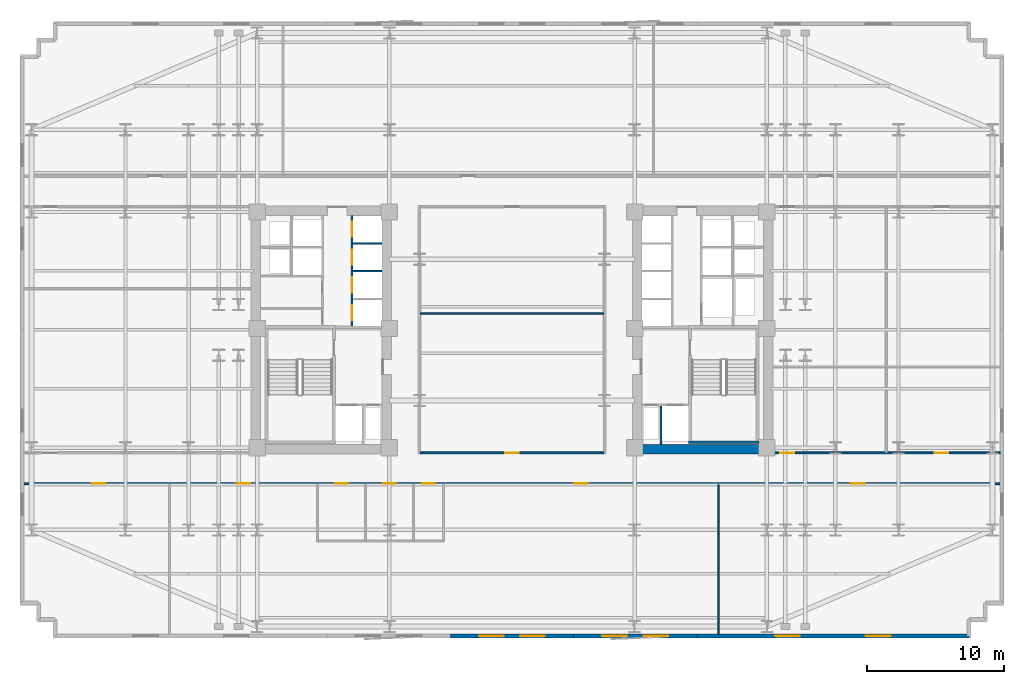
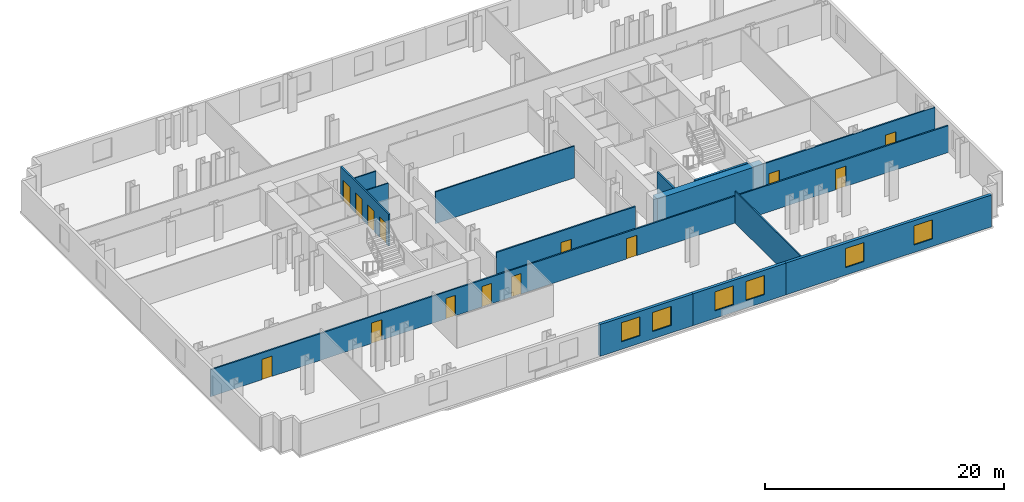
# One storey, part 5 of 10: 14 doors, 14 walls, 6 windows, 20 openings.
"""IFC4 building model written with IfcOpenShell, lengths in metres."""

from ifc_helpers import new_model, si_unit, direction, frame, frame_2d, origin, place, context, subcontext, project, spatial, rectangle, extrude, material, layer, layer_set, type_object, element, fill, save


model = new_model("IFC4")

# Units and contexts
model_context = context("Model", 3, precision=1e-05, world=origin(), true_north=direction((0.0, 1.0)))
body_context = subcontext(model_context, "Body", "Model", "MODEL_VIEW")
ifc_project = project(units=[si_unit("LENGTHUNIT", "METRE"), si_unit("AREAUNIT", "SQUARE_METRE"), si_unit("VOLUMEUNIT", "CUBIC_METRE"), si_unit("PLANEANGLEUNIT", "RADIAN"), si_unit("MASSUNIT", "GRAM", prefix="KILO")], contexts=[model_context])

# Site, building, storey
site_placement = place(None, origin())
site = spatial("IfcSite", under=ifc_project, at=site_placement, CompositionType="ELEMENT")
building_placement = place(site_placement, origin())
building = spatial("IfcBuilding", under=site, at=building_placement, Name="Velakula Bourse", CompositionType="ELEMENT")
storey_placement = place(building_placement, frame((0.0, 0.0, 34.64990234375)))
storey = spatial("IfcBuildingStorey", under=building, at=storey_placement, Name="L08", CompositionType="ELEMENT", Elevation=34.64990234375)

# Walls
ifc_material_1 = material(Name="Concrete M50 (fck 50 MPa)", Category="concrete")
ifc_layer_1 = layer(ifc_material_1, 0.2099609375, Name="Concrete M50 (fck 50 MPa)", Category="concrete")
ifc_layer_set_1 = layer_set([ifc_layer_1], Name="Concrete M50 (fck 50 MPa)")
wall_type_1 = type_object("IfcWallType", Name="WL-CORE-210", PredefinedType="SHEAR", material=ifc_layer_set_1)
wall_1_placement = place(storey_placement, frame((12.889892578125, -8.205078125, 0.0), z_axis=(0.0, 0.0, 1.0), x_axis=(1.0, 0.0, 0.0)))
element("IfcWall", 1, at=wall_1_placement, inside=storey, type_object=wall_type_1, Name="L08 Core E Stairwell Shear Wall S", PredefinedType="SHEAR", context=body_context, shape_type="SweptSolid", body=[
    extrude(rectangle(XDim=5.14013671875, YDim=0.2099609375, at=frame_2d((2.570068359375, 0.0))), origin(), (0.0, 0.0, 1.0), 3.27001953125),
])
ifc_material_2 = material(Name="Concrete M70 (fck 70 MPa)", Category="concrete")
ifc_layer_2 = layer(ifc_material_2, 0.699951171875, Name="Concrete M70 (fck 70 MPa)", Category="concrete")
ifc_layer_set_2 = layer_set([ifc_layer_2], Name="Concrete M70 (fck 70 MPa)")
wall_type_2 = type_object("IfcWallType", Name="WL-CORE-700", PredefinedType="SHEAR", material=ifc_layer_set_2)
wall_2_placement = place(storey_placement, frame((8.800048828125, -8.699951171875, 0.0), z_axis=(0.0, 0.0, 1.0), x_axis=(1.0, 0.0, 0.0)))
element("IfcWall", 2, at=wall_2_placement, inside=storey, type_object=wall_type_2, Name="L08 Core E Shear Wall S", PredefinedType="SHEAR", context=body_context, shape_type="SweptSolid", body=[
    extrude(rectangle(XDim=10.25, YDim=0.699951171875, at=frame_2d((5.125, 0.0))), origin(), (0.0, 0.0, 1.0), 3.27001953125),
])

# Wall, openings, windows
ifc_material_3 = material(Name="Red kilned clay facing brick masonry", Category="masonry")
ifc_layer_3 = layer(ifc_material_3, 0.280029296875, Name="Red kilned clay facing brick masonry", Category="masonry")
ifc_layer_set_3 = layer_set([ifc_layer_3], Name="Red kilned clay facing brick masonry")
wall_type_3 = type_object("IfcWallType", Name="WL-EXT-BRK-280", PredefinedType="STANDARD", material=ifc_layer_set_3)
wall_3_placement = place(storey_placement, frame((4.5, -22.340087890625, 0.0), z_axis=(0.0, 0.0, 1.0), x_axis=(-1.0, 0.0, 0.0)))
wall_3 = element("IfcWall", 3, at=wall_3_placement, inside=storey, type_object=wall_type_3, Name="L08 S Brick Spandrel Wall B3", PredefinedType="STANDARD", context=body_context, shape_type="SweptSolid", body=[
    extrude(rectangle(XDim=9.0, YDim=0.280029296875, at=frame_2d((4.5, 0.0))), origin(), (0.0, 0.0, 1.0), 3.25),
])
opening_1_placement = place(wall_3_placement, frame((2.10009765625, 0.0, 0.760009765625)))
opening_1 = element("IfcOpeningElement", 4, at=opening_1_placement, cuts=wall_3, Name="Opening W-01", PredefinedType="OPENING", context=body_context, shape_type="SweptSolid", body=[
    extrude(rectangle(XDim=1.800048828125, YDim=1.949951171875, at=frame_2d((0.89990234375, 0.97509765625))), frame((0.0, 0.14990234375, 0.0), z_axis=(0.0, -1.0, 0.0), x_axis=(1.0, 0.0, 0.0)), (0.0, 0.0, 1.0), 0.300048828125),
])
opening_2_placement = place(wall_3_placement, frame((5.10009765625, 0.0, 0.760009765625)))
opening_2 = element("IfcOpeningElement", 5, at=opening_2_placement, cuts=wall_3, Name="Opening W-01", PredefinedType="OPENING", context=body_context, shape_type="SweptSolid", body=[
    extrude(rectangle(XDim=1.800048828125, YDim=1.949951171875, at=frame_2d((0.89990234375, 0.97509765625))), frame((0.0, 0.14990234375, 0.0), z_axis=(0.0, -1.0, 0.0), x_axis=(1.0, 0.0, 0.0)), (0.0, 0.0, 1.0), 0.300048828125),
])
ifc_material_4 = material(Name="Double-glazed solar-control Low-E glass", Category="glass")
window_type = type_object("IfcWindowType", Name="WIN-TWR-1800x2100", PartitioningType="SINGLE_PANEL", PredefinedType="WINDOW", material=ifc_material_4)
window_1_placement = place(opening_1_placement, origin())
window_1 = element("IfcWindow", 6, at=window_1_placement, inside=storey, type_object=window_type, Name="L08 Deep-Set Recessed Window 1", OverallHeight=1.949951171875, OverallWidth=1.800048828125, PartitioningType="SINGLE_PANEL", PredefinedType="WINDOW", context=body_context, shape_type="SweptSolid", body=[
    extrude(rectangle(XDim=1.800048828125, YDim=1.949951171875, at=frame_2d((0.89990234375, 0.97509765625))), frame((0.0, 0.030029296875, 0.0), z_axis=(0.0, -1.0, 0.0), x_axis=(1.0, 0.0, 0.0)), (0.0, 0.0, 1.0), 0.06005859375),
])
fill(opening_1, window_1)
window_2_placement = place(opening_2_placement, origin())
window_2 = element("IfcWindow", 7, at=window_2_placement, inside=storey, type_object=window_type, Name="L08 Deep-Set Recessed Window 2", OverallHeight=1.949951171875, OverallWidth=1.800048828125, PartitioningType="SINGLE_PANEL", PredefinedType="WINDOW", context=body_context, shape_type="SweptSolid", body=[
    extrude(rectangle(XDim=1.800048828125, YDim=1.949951171875, at=frame_2d((0.89990234375, 0.97509765625))), frame((0.0, 0.030029296875, 0.0), z_axis=(0.0, -1.0, 0.0), x_axis=(1.0, 0.0, 0.0)), (0.0, 0.0, 1.0), 0.06005859375),
])
fill(opening_2, window_2)

wall_4_placement = place(storey_placement, frame((13.5, -22.340087890625, 0.0), z_axis=(0.0, 0.0, 1.0), x_axis=(-1.0, 0.0, 0.0)))
wall_4 = element("IfcWall", 8, at=wall_4_placement, inside=storey, type_object=wall_type_3, Name="L08 S Brick Spandrel Wall B4", PredefinedType="STANDARD", context=body_context, shape_type="SweptSolid", body=[
    extrude(rectangle(XDim=9.0, YDim=0.280029296875, at=frame_2d((4.5, 0.0))), origin(), (0.0, 0.0, 1.0), 3.25),
])
opening_3_placement = place(wall_4_placement, frame((2.10009765625, 0.0, 0.760009765625)))
opening_3 = element("IfcOpeningElement", 9, at=opening_3_placement, cuts=wall_4, Name="Opening W-01", PredefinedType="OPENING", context=body_context, shape_type="SweptSolid", body=[
    extrude(rectangle(XDim=1.800048828125, YDim=1.949951171875, at=frame_2d((0.89990234375, 0.97509765625))), frame((0.0, 0.14990234375, 0.0), z_axis=(0.0, -1.0, 0.0), x_axis=(1.0, 0.0, 0.0)), (0.0, 0.0, 1.0), 0.300048828125),
])
opening_4_placement = place(wall_4_placement, frame((5.10009765625, 0.0, 0.760009765625)))
opening_4 = element("IfcOpeningElement", 10, at=opening_4_placement, cuts=wall_4, Name="Opening W-01", PredefinedType="OPENING", context=body_context, shape_type="SweptSolid", body=[
    extrude(rectangle(XDim=1.800048828125, YDim=1.949951171875, at=frame_2d((0.89990234375, 0.97509765625))), frame((0.0, 0.14990234375, 0.0), z_axis=(0.0, -1.0, 0.0), x_axis=(1.0, 0.0, 0.0)), (0.0, 0.0, 1.0), 0.300048828125),
])
window_3_placement = place(opening_3_placement, origin())
window_3 = element("IfcWindow", 11, at=window_3_placement, inside=storey, type_object=window_type, Name="L08 Deep-Set Recessed Window 1", OverallHeight=1.949951171875, OverallWidth=1.800048828125, PartitioningType="SINGLE_PANEL", PredefinedType="WINDOW", context=body_context, shape_type="SweptSolid", body=[
    extrude(rectangle(XDim=1.800048828125, YDim=1.949951171875, at=frame_2d((0.89990234375, 0.97509765625))), frame((0.0, 0.030029296875, 0.0), z_axis=(0.0, -1.0, 0.0), x_axis=(1.0, 0.0, 0.0)), (0.0, 0.0, 1.0), 0.06005859375),
])
fill(opening_3, window_3)
window_4_placement = place(opening_4_placement, origin())
window_4 = element("IfcWindow", 12, at=window_4_placement, inside=storey, type_object=window_type, Name="L08 Deep-Set Recessed Window 2", OverallHeight=1.949951171875, OverallWidth=1.800048828125, PartitioningType="SINGLE_PANEL", PredefinedType="WINDOW", context=body_context, shape_type="SweptSolid", body=[
    extrude(rectangle(XDim=1.800048828125, YDim=1.949951171875, at=frame_2d((0.89990234375, 0.97509765625))), frame((0.0, 0.030029296875, 0.0), z_axis=(0.0, -1.0, 0.0), x_axis=(1.0, 0.0, 0.0)), (0.0, 0.0, 1.0), 0.06005859375),
])
fill(opening_4, window_4)

wall_5_placement = place(storey_placement, frame((33.340087890625, -22.340087890625, 0.0), z_axis=(0.0, 0.0, 1.0), x_axis=(-1.0, 0.0, 0.0)))
wall_5 = element("IfcWall", 13, at=wall_5_placement, inside=storey, type_object=wall_type_3, Name="L08 S Brick Spandrel Wall B5", PredefinedType="STANDARD", context=body_context, shape_type="SweptSolid", body=[
    extrude(rectangle(XDim=19.840087890625, YDim=0.280029296875, at=frame_2d((9.919921875, 0.0))), origin(), (0.0, 0.0, 1.0), 3.25),
])
opening_5_placement = place(wall_5_placement, frame((5.71337890625, 0.0, 0.760009765625)))
opening_5 = element("IfcOpeningElement", 14, at=opening_5_placement, cuts=wall_5, Name="Opening W-01", PredefinedType="OPENING", context=body_context, shape_type="SweptSolid", body=[
    extrude(rectangle(XDim=1.800048828125, YDim=1.949951171875, at=frame_2d((0.89990234375, 0.97509765625))), frame((0.0, 0.14990234375, 0.0), z_axis=(0.0, -1.0, 0.0), x_axis=(1.0, 0.0, 0.0)), (0.0, 0.0, 1.0), 0.300048828125),
])
opening_6_placement = place(wall_5_placement, frame((12.32666015625, 0.0, 0.760009765625)))
opening_6 = element("IfcOpeningElement", 15, at=opening_6_placement, cuts=wall_5, Name="Opening W-01", PredefinedType="OPENING", context=body_context, shape_type="SweptSolid", body=[
    extrude(rectangle(XDim=1.800048828125, YDim=1.949951171875, at=frame_2d((0.89990234375, 0.97509765625))), frame((0.0, 0.14990234375, 0.0), z_axis=(0.0, -1.0, 0.0), x_axis=(1.0, 0.0, 0.0)), (0.0, 0.0, 1.0), 0.300048828125),
])
window_5_placement = place(opening_5_placement, origin())
window_5 = element("IfcWindow", 16, at=window_5_placement, inside=storey, type_object=window_type, Name="L08 Deep-Set Recessed Window 1", OverallHeight=1.949951171875, OverallWidth=1.800048828125, PartitioningType="SINGLE_PANEL", PredefinedType="WINDOW", context=body_context, shape_type="SweptSolid", body=[
    extrude(rectangle(XDim=1.800048828125, YDim=1.949951171875, at=frame_2d((0.89990234375, 0.97509765625))), frame((0.0, 0.030029296875, 0.0), z_axis=(0.0, -1.0, 0.0), x_axis=(1.0, 0.0, 0.0)), (0.0, 0.0, 1.0), 0.06005859375),
])
fill(opening_5, window_5)
window_6_placement = place(opening_6_placement, origin())
window_6 = element("IfcWindow", 17, at=window_6_placement, inside=storey, type_object=window_type, Name="L08 Deep-Set Recessed Window 2", OverallHeight=1.949951171875, OverallWidth=1.800048828125, PartitioningType="SINGLE_PANEL", PredefinedType="WINDOW", context=body_context, shape_type="SweptSolid", body=[
    extrude(rectangle(XDim=1.800048828125, YDim=1.949951171875, at=frame_2d((0.89990234375, 0.97509765625))), frame((0.0, 0.030029296875, 0.0), z_axis=(0.0, -1.0, 0.0), x_axis=(1.0, 0.0, 0.0)), (0.0, 0.0, 1.0), 0.06005859375),
])
fill(opening_6, window_6)

# Walls
ifc_material_5 = material(Name="Fire-rated double-layer gypsum drywall partition", Category="gypsum")
ifc_layer_4 = layer(ifc_material_5, 0.1201171875, Name="Fire-rated double-layer gypsum drywall partition", Category="gypsum")
ifc_layer_set_4 = layer_set([ifc_layer_4], Name="Fire-rated double-layer gypsum drywall partition")
wall_type_4 = type_object("IfcWallType", Name="WL-PART-120", PredefinedType="STANDARD", material=ifc_layer_set_4)
for number, where, z_axis, x_axis, name in (
    (18, (-11.60009765625, 4.284912109375, 0.0), (0.0, 0.0, 1.0), (1.0, 0.0, 0.0), "L08 Interior Partition WL-CRW-L08-BDIV-1"),
    (19, (-11.60009765625, 6.31494140625, 0.0), (0.0, 0.0, 1.0), (1.0, 0.0, 0.0), "L08 Interior Partition WL-CRW-L08-BDIV-2"),
):
    element("IfcWall", number, at=place(storey_placement, frame(where, z_axis=z_axis, x_axis=x_axis)), inside=storey, type_object=wall_type_4, Name=name, PredefinedType="STANDARD", context=body_context, shape_type="SweptSolid", body=[
        extrude(rectangle(XDim=2.10009765625, YDim=0.110107421875, at=frame_2d((1.050048828125, 0.0))), origin(), (0.0, 0.0, 1.0), 3.25),
    ])
wall_6_placement = place(storey_placement, frame((15.076904296875, -22.219970703125, 0.0), z_axis=(0.0, 0.0, 1.0), x_axis=(0.0, 1.0, 0.0)))
element("IfcWall", 20, at=wall_6_placement, inside=storey, type_object=wall_type_4, Name="L08 Interior Partition WL-INT-L08-SR-D6", PredefinedType="STANDARD", context=body_context, shape_type="SweptSolid", body=[
    extrude(rectangle(XDim=10.929931640625, YDim=0.1201171875, at=frame_2d((5.46484375, 0.0))), origin(), (0.0, 0.0, 1.0), 3.25),
])

# Wall, openings, doors
ifc_layer_5 = layer(ifc_material_5, 0.139892578125, Name="Fire-rated double-layer gypsum drywall partition", Category="gypsum")
ifc_layer_set_5 = layer_set([ifc_layer_5], Name="Fire-rated double-layer gypsum drywall partition")
wall_type_5 = type_object("IfcWallType", Name="WL-PART-140", PredefinedType="STANDARD", material=ifc_layer_set_5)
wall_7_placement = place(storey_placement, frame((-35.6201171875, -11.219970703125, 0.0), z_axis=(0.0, 0.0, 1.0), x_axis=(1.0, 0.0, 0.0)))
wall_7 = element("IfcWall", 21, at=wall_7_placement, inside=storey, type_object=wall_type_5, Name="L08 Interior Partition WL-INT-L08-S-CORR", PredefinedType="STANDARD", context=body_context, shape_type="SweptSolid", body=[
    extrude(rectangle(XDim=71.240234375, YDim=0.139892578125, at=frame_2d((35.6201171875, 0.0))), origin(), (0.0, 0.0, 1.0), 2.7451171875),
])
opening_7_placement = place(wall_7_placement, frame((22.7099609375, 0.0, 0.0)))
opening_7 = element("IfcOpeningElement", 22, at=opening_7_placement, cuts=wall_7, Name="Opening D-WT1", PredefinedType="OPENING", context=body_context, shape_type="SweptSolid", body=[
    extrude(rectangle(XDim=0.919921875, YDim=2.080078125, at=frame_2d((0.4599609375, 1.0400390625))), frame((0.0, 0.079833984375, 0.0), z_axis=(0.0, -1.0, 0.0), x_axis=(1.0, 0.0, 0.0)), (0.0, 0.0, 1.0), 0.159912109375),
])
opening_8_placement = place(wall_7_placement, frame((26.2099609375, 0.0, 0.0)))
opening_8 = element("IfcOpeningElement", 23, at=opening_8_placement, cuts=wall_7, Name="Opening D-WT1", PredefinedType="OPENING", context=body_context, shape_type="SweptSolid", body=[
    extrude(rectangle(XDim=0.919921875, YDim=2.080078125, at=frame_2d((0.4599609375, 1.0400390625))), frame((0.0, 0.079833984375, 0.0), z_axis=(0.0, -1.0, 0.0), x_axis=(1.0, 0.0, 0.0)), (0.0, 0.0, 1.0), 0.159912109375),
])
opening_9_placement = place(wall_7_placement, frame((29.06005859375, 0.0, 0.0)))
opening_9 = element("IfcOpeningElement", 24, at=opening_9_placement, cuts=wall_7, Name="Opening D-WC1", PredefinedType="OPENING", context=body_context, shape_type="SweptSolid", body=[
    extrude(rectangle(XDim=0.919921875, YDim=2.080078125, at=frame_2d((0.4599609375, 1.0400390625))), frame((0.0, 0.079833984375, 0.0), z_axis=(0.0, -1.0, 0.0), x_axis=(1.0, 0.0, 0.0)), (0.0, 0.0, 1.0), 0.159912109375),
])
opening_10_placement = place(wall_7_placement, frame((4.9423828125, 0.0, 0.0)))
opening_10 = element("IfcOpeningElement", 25, at=opening_10_placement, cuts=wall_7, Name="Opening D-OF1", PredefinedType="OPENING", context=body_context, shape_type="SweptSolid", body=[
    extrude(rectangle(XDim=1.0, YDim=2.080078125, at=frame_2d((0.5, 1.0400390625))), frame((0.0, 0.079833984375, 0.0), z_axis=(0.0, -1.0, 0.0), x_axis=(1.0, 0.0, 0.0)), (0.0, 0.0, 1.0), 0.159912109375),
])
opening_11_placement = place(wall_7_placement, frame((15.526611328125, 0.0, 0.0)))
opening_11 = element("IfcOpeningElement", 26, at=opening_11_placement, cuts=wall_7, Name="Opening D-OF1", PredefinedType="OPENING", context=body_context, shape_type="SweptSolid", body=[
    extrude(rectangle(XDim=1.0, YDim=2.080078125, at=frame_2d((0.5, 1.0400390625))), frame((0.0, 0.079833984375, 0.0), z_axis=(0.0, -1.0, 0.0), x_axis=(1.0, 0.0, 0.0)), (0.0, 0.0, 1.0), 0.159912109375),
])
opening_12_placement = place(wall_7_placement, frame((40.158447265625, 0.0, 0.0)))
opening_12 = element("IfcOpeningElement", 27, at=opening_12_placement, cuts=wall_7, Name="Opening D-OF1", PredefinedType="OPENING", context=body_context, shape_type="SweptSolid", body=[
    extrude(rectangle(XDim=1.0, YDim=2.080078125, at=frame_2d((0.5, 1.0400390625))), frame((0.0, 0.079833984375, 0.0), z_axis=(0.0, -1.0, 0.0), x_axis=(1.0, 0.0, 0.0)), (0.0, 0.0, 1.0), 0.159912109375),
])
opening_13_placement = place(wall_7_placement, frame((60.342529296875, 0.0, 0.0)))
opening_13 = element("IfcOpeningElement", 28, at=opening_13_placement, cuts=wall_7, Name="Opening D-OF1", PredefinedType="OPENING", context=body_context, shape_type="SweptSolid", body=[
    extrude(rectangle(XDim=1.0, YDim=2.080078125, at=frame_2d((0.5, 1.0400390625))), frame((0.0, 0.079833984375, 0.0), z_axis=(0.0, -1.0, 0.0), x_axis=(1.0, 0.0, 0.0)), (0.0, 0.0, 1.0), 0.159912109375),
])
ifc_material_6 = material(Name="Fire-rated hardwood flush architectural door", Category="wood")
door_type_1 = type_object("IfcDoorType", Name="DR-OFF-1000", OperationType="NOTDEFINED", PredefinedType="DOOR", material=ifc_material_6)
door_1_placement = place(opening_10_placement, origin())
door_1 = element("IfcDoor", 29, at=door_1_placement, inside=storey, type_object=door_type_1, Name="L08 Quiet Financial Library Door", OperationType="SINGLE_SWING_LEFT", OverallHeight=2.080078125, OverallWidth=1.0, PredefinedType="DOOR", context=body_context, shape_type="SweptSolid", body=[
    extrude(rectangle(XDim=1.0, YDim=2.080078125, at=frame_2d((0.5, 1.0400390625))), frame((0.0, 0.02490234375, 0.0), z_axis=(0.0, -1.0, 0.0), x_axis=(1.0, 0.0, 0.0)), (0.0, 0.0, 1.0), 0.050048828125),
])
fill(opening_10, door_1)
door_2_placement = place(opening_11_placement, origin())
door_2 = element("IfcDoor", 30, at=door_2_placement, inside=storey, type_object=door_type_1, Name="L08 Margin Control Office Door", OperationType="SINGLE_SWING_RIGHT", OverallHeight=2.080078125, OverallWidth=1.0, PredefinedType="DOOR", context=body_context, shape_type="SweptSolid", body=[
    extrude(rectangle(XDim=1.0, YDim=2.080078125, at=frame_2d((0.5, 1.0400390625))), frame((0.0, 0.02490234375, 0.0), z_axis=(0.0, -1.0, 0.0), x_axis=(1.0, 0.0, 0.0)), (0.0, 0.0, 1.0), 0.050048828125),
])
fill(opening_11, door_2)
door_3_placement = place(opening_12_placement, origin())
door_3 = element("IfcDoor", 31, at=door_3_placement, inside=storey, type_object=door_type_1, Name="L08 Risk Review Boardroom Door", OperationType="SINGLE_SWING_LEFT", OverallHeight=2.080078125, OverallWidth=1.0, PredefinedType="DOOR", context=body_context, shape_type="SweptSolid", body=[
    extrude(rectangle(XDim=1.0, YDim=2.080078125, at=frame_2d((0.5, 1.0400390625))), frame((0.0, 0.02490234375, 0.0), z_axis=(0.0, -1.0, 0.0), x_axis=(1.0, 0.0, 0.0)), (0.0, 0.0, 1.0), 0.050048828125),
])
fill(opening_12, door_3)
door_4_placement = place(opening_13_placement, origin())
door_4 = element("IfcDoor", 32, at=door_4_placement, inside=storey, type_object=door_type_1, Name="L08 Catering Servery Pantry Door", OperationType="SINGLE_SWING_RIGHT", OverallHeight=2.080078125, OverallWidth=1.0, PredefinedType="DOOR", context=body_context, shape_type="SweptSolid", body=[
    extrude(rectangle(XDim=1.0, YDim=2.080078125, at=frame_2d((0.5, 1.0400390625))), frame((0.0, 0.02490234375, 0.0), z_axis=(0.0, -1.0, 0.0), x_axis=(1.0, 0.0, 0.0)), (0.0, 0.0, 1.0), 0.050048828125),
])
fill(opening_13, door_4)
door_type_2 = type_object("IfcDoorType", Name="DR-WC-950", OperationType="NOTDEFINED", PredefinedType="DOOR", material=ifc_material_6)
door_5_placement = place(opening_7_placement, origin())
door_5 = element("IfcDoor", 33, at=door_5_placement, inside=storey, type_object=door_type_2, Name="L08 Male Staff Toilet Door", OperationType="SINGLE_SWING_RIGHT", OverallHeight=2.080078125, OverallWidth=0.919921875, PredefinedType="DOOR", context=body_context, shape_type="SweptSolid", body=[
    extrude(rectangle(XDim=0.919921875, YDim=2.080078125, at=frame_2d((0.4599609375, 1.0400390625))), frame((0.0, 0.02490234375, 0.0), z_axis=(0.0, -1.0, 0.0), x_axis=(1.0, 0.0, 0.0)), (0.0, 0.0, 1.0), 0.050048828125),
])
fill(opening_7, door_5)
door_6_placement = place(opening_8_placement, origin())
door_6 = element("IfcDoor", 34, at=door_6_placement, inside=storey, type_object=door_type_2, Name="L08 Female Staff Toilet Door", OperationType="SINGLE_SWING_LEFT", OverallHeight=2.080078125, OverallWidth=0.919921875, PredefinedType="DOOR", context=body_context, shape_type="SweptSolid", body=[
    extrude(rectangle(XDim=0.919921875, YDim=2.080078125, at=frame_2d((0.4599609375, 1.0400390625))), frame((0.0, 0.02490234375, 0.0), z_axis=(0.0, -1.0, 0.0), x_axis=(1.0, 0.0, 0.0)), (0.0, 0.0, 1.0), 0.050048828125),
])
fill(opening_8, door_6)
door_7_placement = place(opening_9_placement, origin())
door_7 = element("IfcDoor", 35, at=door_7_placement, inside=storey, type_object=door_type_2, Name="L08 Accessible WC Door", OperationType="SINGLE_SWING_RIGHT", OverallHeight=2.080078125, OverallWidth=0.919921875, PredefinedType="DOOR", context=body_context, shape_type="SweptSolid", body=[
    extrude(rectangle(XDim=0.919921875, YDim=2.080078125, at=frame_2d((0.4599609375, 1.0400390625))), frame((0.0, 0.02490234375, 0.0), z_axis=(0.0, -1.0, 0.0), x_axis=(1.0, 0.0, 0.0)), (0.0, 0.0, 1.0), 0.050048828125),
])
fill(opening_9, door_7)

wall_8_placement = place(storey_placement, frame((19.050048828125, -8.97998046875, 0.0), z_axis=(0.0, 0.0, 1.0), x_axis=(1.0, 0.0, 0.0)))
wall_8 = element("IfcWall", 36, at=wall_8_placement, inside=storey, type_object=wall_type_5, Name="L08 Interior Partition WL-INT-L08-E-SC", PredefinedType="STANDARD", context=body_context, shape_type="SweptSolid", body=[
    extrude(rectangle(XDim=16.570068359375, YDim=0.139892578125, at=frame_2d((8.28515625, 0.0))), origin(), (0.0, 0.0, 1.0), 3.25),
])
opening_14_placement = place(wall_8_placement, frame((0.534912109375, 0.0, 0.0)))
opening_14 = element("IfcOpeningElement", 37, at=opening_14_placement, cuts=wall_8, Name="Opening D-OF1", PredefinedType="OPENING", context=body_context, shape_type="SweptSolid", body=[
    extrude(rectangle(XDim=1.0, YDim=2.080078125, at=frame_2d((0.5, 1.0400390625))), frame((0.0, 0.079833984375, 0.0), z_axis=(0.0, -1.0, 0.0), x_axis=(1.0, 0.0, 0.0)), (0.0, 0.0, 1.0), 0.159912109375),
])
opening_15_placement = place(wall_8_placement, frame((11.782470703125, 0.0, 0.0)))
opening_15 = element("IfcOpeningElement", 38, at=opening_15_placement, cuts=wall_8, Name="Opening D-OF1", PredefinedType="OPENING", context=body_context, shape_type="SweptSolid", body=[
    extrude(rectangle(XDim=1.0, YDim=2.080078125, at=frame_2d((0.5, 1.0400390625))), frame((0.0, 0.079833984375, 0.0), z_axis=(0.0, -1.0, 0.0), x_axis=(1.0, 0.0, 0.0)), (0.0, 0.0, 1.0), 0.159912109375),
])
door_8_placement = place(opening_14_placement, origin())
door_8 = element("IfcDoor", 39, at=door_8_placement, inside=storey, type_object=door_type_1, Name="L08 Legal Counsel Office Door", OperationType="SINGLE_SWING_LEFT", OverallHeight=2.080078125, OverallWidth=1.0, PredefinedType="DOOR", context=body_context, shape_type="SweptSolid", body=[
    extrude(rectangle(XDim=1.0, YDim=2.080078125, at=frame_2d((0.5, 1.0400390625))), frame((0.0, 0.02490234375, 0.0), z_axis=(0.0, -1.0, 0.0), x_axis=(1.0, 0.0, 0.0)), (0.0, 0.0, 1.0), 0.050048828125),
])
fill(opening_14, door_8)
door_9_placement = place(opening_15_placement, origin())
door_9 = element("IfcDoor", 40, at=door_9_placement, inside=storey, type_object=door_type_1, Name="L08 Listing Committee Chamber Door", OperationType="SINGLE_SWING_RIGHT", OverallHeight=2.080078125, OverallWidth=1.0, PredefinedType="DOOR", context=body_context, shape_type="SweptSolid", body=[
    extrude(rectangle(XDim=1.0, YDim=2.080078125, at=frame_2d((0.5, 1.0400390625))), frame((0.0, 0.02490234375, 0.0), z_axis=(0.0, -1.0, 0.0), x_axis=(1.0, 0.0, 0.0)), (0.0, 0.0, 1.0), 0.050048828125),
])
fill(opening_15, door_9)

# Wall, opening, door
wall_9_placement = place(storey_placement, frame((-6.7099609375, -8.97998046875, 0.0), z_axis=(0.0, 0.0, 1.0), x_axis=(1.0, 0.0, 0.0)))
wall_9 = element("IfcWall", 41, at=wall_9_placement, inside=storey, type_object=wall_type_5, Name="L08 Interior Partition WL-INT-L08-MID-S", PredefinedType="STANDARD", context=body_context, shape_type="SweptSolid", body=[
    extrude(rectangle(XDim=13.419921875, YDim=0.139892578125, at=frame_2d((6.7099609375, 0.0))), origin(), (0.0, 0.0, 1.0), 3.25),
])
opening_16_placement = place(wall_9_placement, frame((6.2099609375, 0.0, 0.0)))
opening_16 = element("IfcOpeningElement", 42, at=opening_16_placement, cuts=wall_9, Name="Opening D-OF1", PredefinedType="OPENING", context=body_context, shape_type="SweptSolid", body=[
    extrude(rectangle(XDim=1.0, YDim=2.080078125, at=frame_2d((0.5, 1.0400390625))), frame((0.0, 0.079833984375, 0.0), z_axis=(0.0, -1.0, 0.0), x_axis=(1.0, 0.0, 0.0)), (0.0, 0.0, 1.0), 0.159912109375),
])
door_10_placement = place(opening_16_placement, origin())
door_10 = element("IfcDoor", 43, at=door_10_placement, inside=storey, type_object=door_type_1, Name="L08 Central Dealing Chamber South Door", OperationType="SINGLE_SWING_LEFT", OverallHeight=2.080078125, OverallWidth=1.0, PredefinedType="DOOR", context=body_context, shape_type="SweptSolid", body=[
    extrude(rectangle(XDim=1.0, YDim=2.080078125, at=frame_2d((0.5, 1.0400390625))), frame((0.0, 0.02490234375, 0.0), z_axis=(0.0, -1.0, 0.0), x_axis=(1.0, 0.0, 0.0)), (0.0, 0.0, 1.0), 0.050048828125),
])
fill(opening_16, door_10)

# Wall
wall_10_placement = place(storey_placement, frame((-6.7099609375, 1.199951171875, 0.0), z_axis=(0.0, 0.0, 1.0), x_axis=(1.0, 0.0, 0.0)))
element("IfcWall", 44, at=wall_10_placement, inside=storey, type_object=wall_type_5, Name="L08 Interior Partition WL-INT-L08-MDY", PredefinedType="STANDARD", context=body_context, shape_type="SweptSolid", body=[
    extrude(rectangle(XDim=13.419921875, YDim=0.1201171875, at=frame_2d((6.7099609375, 0.0))), origin(), (0.0, 0.0, 1.0), 3.25),
])

# Wall, openings, doors
ifc_material_7 = material(Name="Autoclaved aerated concrete blockwork masonry", Category="masonry")
ifc_layer_6 = layer(ifc_material_7, 0.14990234375, Name="Autoclaved aerated concrete blockwork masonry", Category="masonry")
ifc_layer_set_6 = layer_set([ifc_layer_6], Name="Autoclaved aerated concrete blockwork masonry")
wall_type_6 = type_object("IfcWallType", Name="WL-SHAFT-150", PredefinedType="STANDARD", material=ifc_layer_set_6)
wall_11_placement = place(storey_placement, frame((-11.675048828125, 0.27001953125, 0.0), z_axis=(0.0, 0.0, 1.0), x_axis=(0.0, 1.0, 0.0)))
wall_11 = element("IfcWall", 45, at=wall_11_placement, inside=storey, type_object=wall_type_6, Name="L08 Interior Partition WL-CRW-L08-BANK-F", PredefinedType="STANDARD", context=body_context, shape_type="SweptSolid", body=[
    extrude(rectangle(XDim=8.080078125, YDim=0.14990234375, at=frame_2d((4.0400390625, 0.0))), origin(), (0.0, 0.0, 1.0), 3.25),
])
opening_17_placement = place(wall_11_placement, frame((0.419921875, 0.0, 0.0)))
opening_17 = element("IfcOpeningElement", 46, at=opening_17_placement, cuts=wall_11, Name="Opening LD-P1", PredefinedType="OPENING", context=body_context, shape_type="SweptSolid", body=[
    extrude(rectangle(XDim=1.10009765625, YDim=2.10009765625, at=frame_2d((0.550048828125, 1.050048828125))), frame((0.0, 0.0849609375, 0.0), z_axis=(0.0, -1.0, 0.0), x_axis=(1.0, 0.0, 0.0)), (0.0, 0.0, 1.0), 0.169921875),
])
opening_18_placement = place(wall_11_placement, frame((2.449951171875, 0.0, 0.0)))
opening_18 = element("IfcOpeningElement", 47, at=opening_18_placement, cuts=wall_11, Name="Opening LD-P2", PredefinedType="OPENING", context=body_context, shape_type="SweptSolid", body=[
    extrude(rectangle(XDim=1.10009765625, YDim=2.10009765625, at=frame_2d((0.550048828125, 1.050048828125))), frame((0.0, 0.0849609375, 0.0), z_axis=(0.0, -1.0, 0.0), x_axis=(1.0, 0.0, 0.0)), (0.0, 0.0, 1.0), 0.169921875),
])
opening_19_placement = place(wall_11_placement, frame((4.47998046875, 0.0, 0.0)))
opening_19 = element("IfcOpeningElement", 48, at=opening_19_placement, cuts=wall_11, Name="Opening LD-P3", PredefinedType="OPENING", context=body_context, shape_type="SweptSolid", body=[
    extrude(rectangle(XDim=1.10009765625, YDim=2.10009765625, at=frame_2d((0.550048828125, 1.050048828125))), frame((0.0, 0.0849609375, 0.0), z_axis=(0.0, -1.0, 0.0), x_axis=(1.0, 0.0, 0.0)), (0.0, 0.0, 1.0), 0.169921875),
])
opening_20_placement = place(wall_11_placement, frame((6.510009765625, 0.0, 0.0)))
opening_20 = element("IfcOpeningElement", 49, at=opening_20_placement, cuts=wall_11, Name="Opening LD-P4", PredefinedType="OPENING", context=body_context, shape_type="SweptSolid", body=[
    extrude(rectangle(XDim=1.10009765625, YDim=2.10009765625, at=frame_2d((0.550048828125, 1.050048828125))), frame((0.0, 0.0849609375, 0.0), z_axis=(0.0, -1.0, 0.0), x_axis=(1.0, 0.0, 0.0)), (0.0, 0.0, 1.0), 0.169921875),
])
ifc_material_8 = material(Name="Brushed grade 316 stainless steel", Category="steel")
door_type_3 = type_object("IfcDoorType", Name="DR-SLIDE-LD-1100", OperationType="DOUBLE_DOOR_SLIDING", PredefinedType="DOOR", material=ifc_material_8)
door_11_placement = place(opening_17_placement, origin())
door_11 = element("IfcDoor", 50, at=door_11_placement, inside=storey, type_object=door_type_3, Name="L08 Passenger Lift P1 Sliding Landing Door", OperationType="DOUBLE_DOOR_SLIDING", OverallHeight=2.10009765625, OverallWidth=1.10009765625, PredefinedType="DOOR", context=body_context, shape_type="SweptSolid", body=[
    extrude(rectangle(XDim=1.10009765625, YDim=2.10009765625, at=frame_2d((0.550048828125, 1.050048828125))), frame((0.0, 0.02490234375, 0.0), z_axis=(0.0, -1.0, 0.0), x_axis=(1.0, 0.0, 0.0)), (0.0, 0.0, 1.0), 0.050048828125),
])
fill(opening_17, door_11)
door_12_placement = place(opening_18_placement, origin())
door_12 = element("IfcDoor", 51, at=door_12_placement, inside=storey, type_object=door_type_3, Name="L08 Passenger Lift P2 Sliding Landing Door", OperationType="DOUBLE_DOOR_SLIDING", OverallHeight=2.10009765625, OverallWidth=1.10009765625, PredefinedType="DOOR", context=body_context, shape_type="SweptSolid", body=[
    extrude(rectangle(XDim=1.10009765625, YDim=2.10009765625, at=frame_2d((0.550048828125, 1.050048828125))), frame((0.0, 0.02490234375, 0.0), z_axis=(0.0, -1.0, 0.0), x_axis=(1.0, 0.0, 0.0)), (0.0, 0.0, 1.0), 0.050048828125),
])
fill(opening_18, door_12)
door_13_placement = place(opening_19_placement, origin())
door_13 = element("IfcDoor", 52, at=door_13_placement, inside=storey, type_object=door_type_3, Name="L08 Passenger Lift P3 Sliding Landing Door", OperationType="DOUBLE_DOOR_SLIDING", OverallHeight=2.10009765625, OverallWidth=1.10009765625, PredefinedType="DOOR", context=body_context, shape_type="SweptSolid", body=[
    extrude(rectangle(XDim=1.10009765625, YDim=2.10009765625, at=frame_2d((0.550048828125, 1.050048828125))), frame((0.0, 0.02490234375, 0.0), z_axis=(0.0, -1.0, 0.0), x_axis=(1.0, 0.0, 0.0)), (0.0, 0.0, 1.0), 0.050048828125),
])
fill(opening_19, door_13)
door_14_placement = place(opening_20_placement, origin())
door_14 = element("IfcDoor", 53, at=door_14_placement, inside=storey, type_object=door_type_3, Name="L08 Passenger Lift P4 Sliding Landing Door", OperationType="DOUBLE_DOOR_SLIDING", OverallHeight=2.10009765625, OverallWidth=1.10009765625, PredefinedType="DOOR", context=body_context, shape_type="SweptSolid", body=[
    extrude(rectangle(XDim=1.10009765625, YDim=2.10009765625, at=frame_2d((0.550048828125, 1.050048828125))), frame((0.0, 0.02490234375, 0.0), z_axis=(0.0, -1.0, 0.0), x_axis=(1.0, 0.0, 0.0)), (0.0, 0.0, 1.0), 0.050048828125),
])
fill(opening_20, door_14)

# Wall
wall_12_placement = place(storey_placement, frame((10.875, -8.35009765625, 0.0), z_axis=(0.0, 0.0, 1.0), x_axis=(0.0, 1.0, 0.0)))
element("IfcWall", 54, at=wall_12_placement, inside=storey, type_object=wall_type_6, Name="L08 Interior Partition WL-CRE-L08-FR-DIV", PredefinedType="STANDARD", context=body_context, shape_type="SweptSolid", body=[
    extrude(rectangle(XDim=2.800048828125, YDim=0.14990234375, at=frame_2d((1.39990234375, 0.0))), origin(), (0.0, 0.0, 1.0), 3.25),
])

save(model, "model.ifc")
